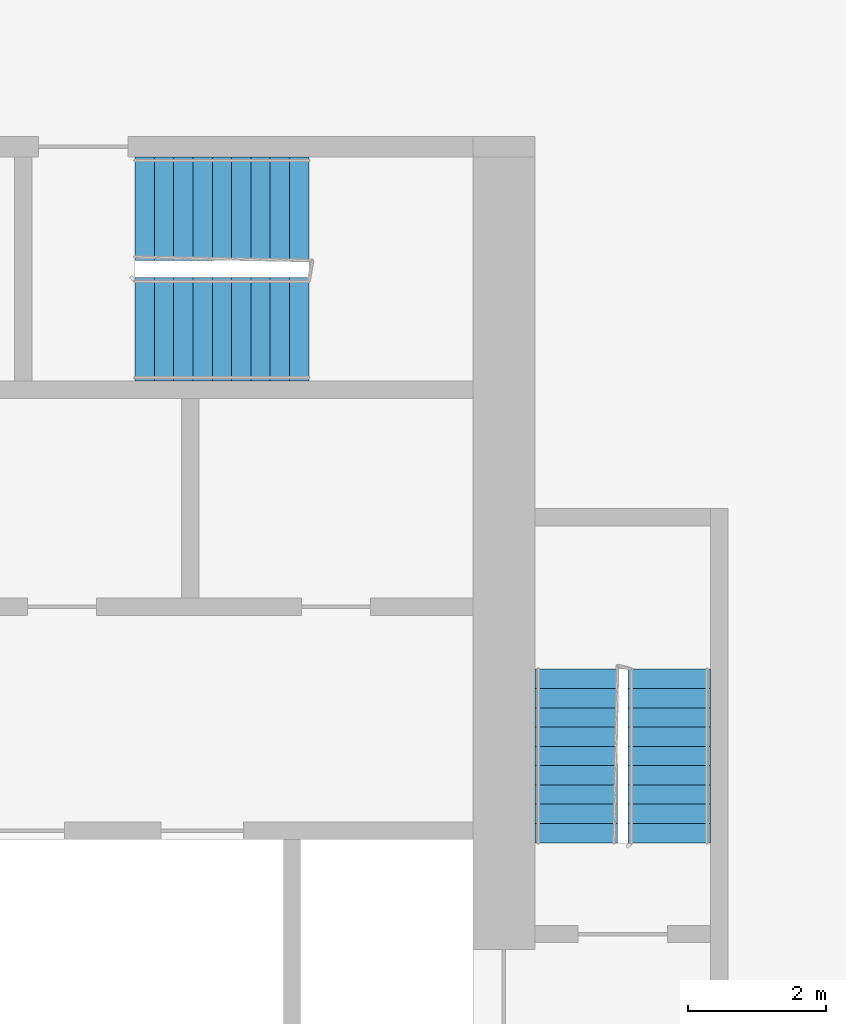
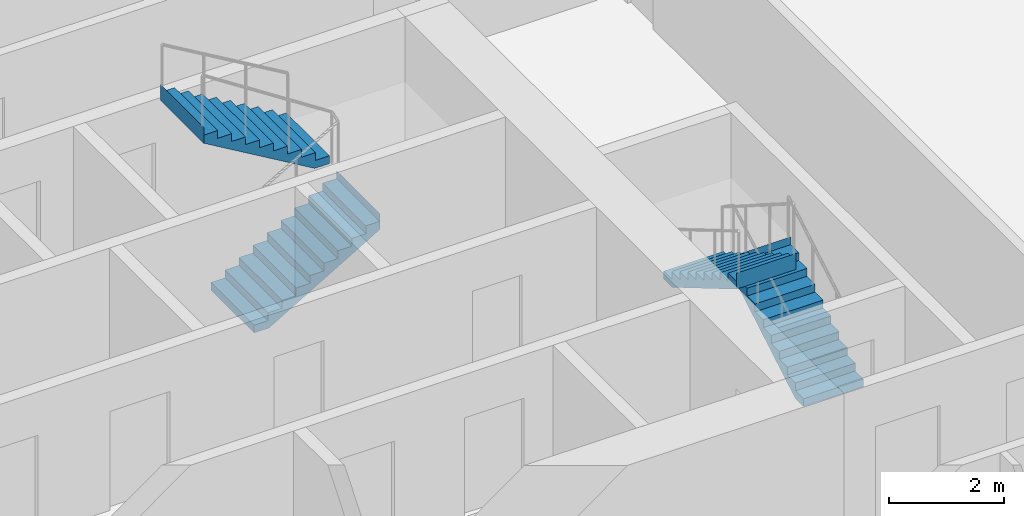
# One storey, part 10 of 11: 4 stair flights, 2 elements without a shape of their own.
"""IFC4 building model written with IfcOpenShell, lengths in metres."""

from ifc_helpers import new_model, si_unit, direction, frame, origin, place, context, subcontext, project, spatial, faceted_brep, material, type_object, element, aggregate, save


model = new_model("IFC4")

# Units and contexts
model_context = context("Model", 3, precision=1e-05, world=origin(), true_north=direction((0.0, 1.0)))
body_context = subcontext(model_context, "Body", "Model", "MODEL_VIEW")
ifc_project = project(units=[si_unit("LENGTHUNIT", "METRE"), si_unit("AREAUNIT", "SQUARE_METRE"), si_unit("VOLUMEUNIT", "CUBIC_METRE"), si_unit("PLANEANGLEUNIT", "RADIAN"), si_unit("MASSUNIT", "GRAM", prefix="KILO")], contexts=[model_context])

# Site, building, storey
site_placement = place(None, origin())
site = spatial("IfcSite", under=ifc_project, at=site_placement, CompositionType="ELEMENT")
building_placement = place(site_placement, origin())
building = spatial("IfcBuilding", under=site, at=building_placement, Name="Kajstack Hotel Tower", CompositionType="ELEMENT")
storey_placement = place(building_placement, frame((0.0, 0.0, 240.800048828125)))
storey = spatial("IfcBuildingStorey", under=building, at=storey_placement, Name="L59", CompositionType="ELEMENT", Elevation=240.800048828125)

# Stair, stair flights
ifc_material = material(Name="Concrete C40/50", Category="concrete")
stair_type_1 = type_object("IfcStairType", Name="Exit stair 1200", PredefinedType="HALF_TURN_STAIR", material=ifc_material)
stair_1_placement = place(storey_placement, origin())
stair_1 = element("IfcStair", 1, at=stair_1_placement, inside=storey, type_object=stair_type_1, Name="L59 stair E1", PredefinedType="HALF_TURN_STAIR")
stair_flight_type_1 = type_object("IfcStairFlightType", Name="Exit stair flight 1200", PredefinedType="STRAIGHT", material=ifc_material)
stair_flight_1_placement = place(storey_placement, frame((33.449951171875, 5.25, 0.0), z_axis=(0.0, 0.0, 1.0), x_axis=(0.0, 1.0, 0.0)))
stair_flight_1 = element("IfcStairFlight", 2, at=stair_flight_1_placement, type_object=stair_flight_type_1, Name="E1 flight 1", NumberOfRisers=10, NumberOfTreads=9, PredefinedType="STRAIGHT", RiserHeight=0.165, TreadLength=0.28, context=body_context, shape_type="Brep", body=[
    faceted_brep([(0.295654296875, -0.60009765625, 0.0), (2.5205078125, -0.60009765625, 1.31103515625), (2.5205078125, -0.60009765625, 1.64990234375), (2.52001953125, -0.60009765625, 1.64990234375), (2.52001953125, -0.60009765625, 1.485107421875), (2.239990234375, -0.60009765625, 1.485107421875), (2.239990234375, -0.60009765625, 1.320068359375), (1.9599609375, -0.60009765625, 1.320068359375), (1.9599609375, -0.60009765625, 1.155029296875), (1.679931640625, -0.60009765625, 1.155029296875), (1.679931640625, -0.60009765625, 0.989990234375), (1.39990234375, -0.60009765625, 0.989990234375), (1.39990234375, -0.60009765625, 0.824951171875), (1.1201171875, -0.60009765625, 0.824951171875), (1.1201171875, -0.60009765625, 0.659912109375), (0.840087890625, -0.60009765625, 0.659912109375), (0.840087890625, -0.60009765625, 0.4951171875), (0.56005859375, -0.60009765625, 0.4951171875), (0.56005859375, -0.60009765625, 0.330078125), (0.280029296875, -0.60009765625, 0.330078125), (0.280029296875, -0.60009765625, 0.1650390625), (-0.00048828125, -0.60009765625, 0.1650390625), (-0.00048828125, -0.60009765625, 0.0), (-0.00048828125, 0.60009765625, 0.0), (-0.00048828125, 0.60009765625, 0.1650390625), (0.280029296875, 0.60009765625, 0.1650390625), (0.280029296875, 0.60009765625, 0.330078125), (0.56005859375, 0.60009765625, 0.330078125), (0.56005859375, 0.60009765625, 0.4951171875), (0.840087890625, 0.60009765625, 0.4951171875), (0.840087890625, 0.60009765625, 0.659912109375), (1.1201171875, 0.60009765625, 0.659912109375), (1.1201171875, 0.60009765625, 0.824951171875), (1.39990234375, 0.60009765625, 0.824951171875), (1.39990234375, 0.60009765625, 0.989990234375), (1.679931640625, 0.60009765625, 0.989990234375), (1.679931640625, 0.60009765625, 1.155029296875), (1.9599609375, 0.60009765625, 1.155029296875), (1.9599609375, 0.60009765625, 1.320068359375), (2.239990234375, 0.60009765625, 1.320068359375), (2.239990234375, 0.60009765625, 1.485107421875), (2.52001953125, 0.60009765625, 1.485107421875), (2.52001953125, 0.60009765625, 1.64990234375), (2.5205078125, 0.60009765625, 1.64990234375), (2.5205078125, 0.60009765625, 1.31103515625), (0.295654296875, 0.60009765625, 0.0), (-0.00048828125, -0.300048828125, 0.1650390625), (-0.00048828125, 0.0, 0.1650390625), (-0.00048828125, 0.300048828125, 0.1650390625), (-0.00048828125, 0.300048828125, 0.0), (-0.00048828125, 0.0, 0.0), (-0.00048828125, -0.300048828125, 0.0), (0.280029296875, -0.300048828125, 0.1650390625), (0.280029296875, 0.0, 0.1650390625), (0.280029296875, 0.300048828125, 0.1650390625), (0.280029296875, -0.300048828125, 0.330078125), (0.280029296875, 0.0, 0.330078125), (0.280029296875, 0.300048828125, 0.330078125), (0.56005859375, -0.300048828125, 0.330078125), (0.56005859375, 0.0, 0.330078125), (0.56005859375, 0.300048828125, 0.330078125), (0.56005859375, -0.300048828125, 0.4951171875), (0.56005859375, 0.0, 0.4951171875), (0.56005859375, 0.300048828125, 0.4951171875), (0.840087890625, -0.300048828125, 0.4951171875), (0.840087890625, 0.0, 0.4951171875), (0.840087890625, 0.300048828125, 0.4951171875), (0.840087890625, -0.300048828125, 0.659912109375), (0.840087890625, 0.0, 0.659912109375), (0.840087890625, 0.300048828125, 0.659912109375), (1.1201171875, -0.300048828125, 0.659912109375), (1.1201171875, 0.0, 0.659912109375), (1.1201171875, 0.300048828125, 0.659912109375), (1.1201171875, -0.300048828125, 0.824951171875), (1.1201171875, 0.0, 0.824951171875), (1.1201171875, 0.300048828125, 0.824951171875), (1.39990234375, -0.300048828125, 0.824951171875), (1.39990234375, 0.0, 0.824951171875), (1.39990234375, 0.300048828125, 0.824951171875), (1.39990234375, -0.300048828125, 0.989990234375), (1.39990234375, 0.0, 0.989990234375), (1.39990234375, 0.300048828125, 0.989990234375), (1.679931640625, -0.300048828125, 0.989990234375), (1.679931640625, 0.0, 0.989990234375), (1.679931640625, 0.300048828125, 0.989990234375), (1.679931640625, -0.300048828125, 1.155029296875), (1.679931640625, 0.0, 1.155029296875), (1.679931640625, 0.300048828125, 1.155029296875), (1.9599609375, -0.300048828125, 1.155029296875), (1.9599609375, 0.0, 1.155029296875), (1.9599609375, 0.300048828125, 1.155029296875), (1.9599609375, -0.300048828125, 1.320068359375), (1.9599609375, 0.0, 1.320068359375), (1.9599609375, 0.300048828125, 1.320068359375), (2.239990234375, -0.300048828125, 1.320068359375), (2.239990234375, 0.0, 1.320068359375), (2.239990234375, 0.300048828125, 1.320068359375), (2.239990234375, -0.300048828125, 1.485107421875), (2.239990234375, 0.0, 1.485107421875), (2.239990234375, 0.300048828125, 1.485107421875), (2.52001953125, -0.300048828125, 1.485107421875), (2.52001953125, 0.0, 1.485107421875), (2.52001953125, 0.300048828125, 1.485107421875), (2.52001953125, -0.300048828125, 1.64990234375), (2.52001953125, 0.0, 1.64990234375), (2.52001953125, 0.300048828125, 1.64990234375), (2.5205078125, -0.300048828125, 1.64990234375), (2.5205078125, 0.0, 1.64990234375), (2.5205078125, 0.300048828125, 1.64990234375), (2.5205078125, -0.300048828125, 1.31103515625), (2.5205078125, 0.0, 1.31103515625), (2.5205078125, 0.300048828125, 1.31103515625), (0.295654296875, -0.300048828125, 0.0), (0.295654296875, 0.0, 0.0), (0.295654296875, 0.300048828125, 0.0)], [[[0, 1, 2, 3, 4, 5, 6, 7, 8, 9, 10, 11, 12, 13, 14, 15, 16, 17, 18, 19, 20, 21, 22]], [[23, 24, 25, 26, 27, 28, 29, 30, 31, 32, 33, 34, 35, 36, 37, 38, 39, 40, 41, 42, 43, 44, 45]], [[21, 46, 47, 48, 24, 23, 49, 50, 51, 22]], [[20, 52, 53, 54, 25, 24, 48, 47, 46, 21]], [[19, 55, 56, 57, 26, 25, 54, 53, 52, 20]], [[18, 58, 59, 60, 27, 26, 57, 56, 55, 19]], [[17, 61, 62, 63, 28, 27, 60, 59, 58, 18]], [[16, 64, 65, 66, 29, 28, 63, 62, 61, 17]], [[15, 67, 68, 69, 30, 29, 66, 65, 64, 16]], [[14, 70, 71, 72, 31, 30, 69, 68, 67, 15]], [[13, 73, 74, 75, 32, 31, 72, 71, 70, 14]], [[12, 76, 77, 78, 33, 32, 75, 74, 73, 13]], [[11, 79, 80, 81, 34, 33, 78, 77, 76, 12]], [[10, 82, 83, 84, 35, 34, 81, 80, 79, 11]], [[9, 85, 86, 87, 36, 35, 84, 83, 82, 10]], [[8, 88, 89, 90, 37, 36, 87, 86, 85, 9]], [[7, 91, 92, 93, 38, 37, 90, 89, 88, 8]], [[6, 94, 95, 96, 39, 38, 93, 92, 91, 7]], [[5, 97, 98, 99, 40, 39, 96, 95, 94, 6]], [[4, 100, 101, 102, 41, 40, 99, 98, 97, 5]], [[3, 103, 104, 105, 42, 41, 102, 101, 100, 4]], [[2, 106, 107, 108, 43, 42, 105, 104, 103, 3]], [[1, 109, 110, 111, 44, 43, 108, 107, 106, 2]], [[0, 112, 113, 114, 45, 44, 111, 110, 109, 1]], [[22, 51, 50, 49, 23, 45, 114, 113, 112, 0]]]),
])
stair_flight_2_placement = place(storey_placement, frame((32.10009765625, 7.77001953125, 1.64990234375), z_axis=(0.0, 0.0, 1.0), x_axis=(0.0, -1.0, 0.0)))
stair_flight_2 = element("IfcStairFlight", 3, at=stair_flight_2_placement, type_object=stair_flight_type_1, Name="E1 flight 2", NumberOfRisers=10, NumberOfTreads=9, PredefinedType="STRAIGHT", RiserHeight=0.165, TreadLength=0.28, context=body_context, shape_type="Brep", body=[
    faceted_brep([(0.295654296875, -0.60009765625, 0.0), (2.5205078125, -0.60009765625, 1.31103515625), (2.5205078125, -0.60009765625, 1.64990234375), (2.52001953125, -0.60009765625, 1.64990234375), (2.52001953125, -0.60009765625, 1.485107421875), (2.239990234375, -0.60009765625, 1.485107421875), (2.239990234375, -0.60009765625, 1.320068359375), (1.9599609375, -0.60009765625, 1.320068359375), (1.9599609375, -0.60009765625, 1.155029296875), (1.679931640625, -0.60009765625, 1.155029296875), (1.679931640625, -0.60009765625, 0.989990234375), (1.39990234375, -0.60009765625, 0.989990234375), (1.39990234375, -0.60009765625, 0.824951171875), (1.1201171875, -0.60009765625, 0.824951171875), (1.1201171875, -0.60009765625, 0.659912109375), (0.840087890625, -0.60009765625, 0.659912109375), (0.840087890625, -0.60009765625, 0.4951171875), (0.56005859375, -0.60009765625, 0.4951171875), (0.56005859375, -0.60009765625, 0.330078125), (0.280029296875, -0.60009765625, 0.330078125), (0.280029296875, -0.60009765625, 0.1650390625), (-0.00048828125, -0.60009765625, 0.1650390625), (-0.00048828125, -0.60009765625, 0.0), (-0.00048828125, 0.60009765625, 0.0), (-0.00048828125, 0.60009765625, 0.1650390625), (0.280029296875, 0.60009765625, 0.1650390625), (0.280029296875, 0.60009765625, 0.330078125), (0.56005859375, 0.60009765625, 0.330078125), (0.56005859375, 0.60009765625, 0.4951171875), (0.840087890625, 0.60009765625, 0.4951171875), (0.840087890625, 0.60009765625, 0.659912109375), (1.1201171875, 0.60009765625, 0.659912109375), (1.1201171875, 0.60009765625, 0.824951171875), (1.39990234375, 0.60009765625, 0.824951171875), (1.39990234375, 0.60009765625, 0.989990234375), (1.679931640625, 0.60009765625, 0.989990234375), (1.679931640625, 0.60009765625, 1.155029296875), (1.9599609375, 0.60009765625, 1.155029296875), (1.9599609375, 0.60009765625, 1.320068359375), (2.239990234375, 0.60009765625, 1.320068359375), (2.239990234375, 0.60009765625, 1.485107421875), (2.52001953125, 0.60009765625, 1.485107421875), (2.52001953125, 0.60009765625, 1.64990234375), (2.5205078125, 0.60009765625, 1.64990234375), (2.5205078125, 0.60009765625, 1.31103515625), (0.295654296875, 0.60009765625, 0.0), (-0.00048828125, -0.300048828125, 0.1650390625), (-0.00048828125, 0.0, 0.1650390625), (-0.00048828125, 0.300048828125, 0.1650390625), (-0.00048828125, 0.300048828125, 0.0), (-0.00048828125, 0.0, 0.0), (-0.00048828125, -0.300048828125, 0.0), (0.280029296875, -0.300048828125, 0.1650390625), (0.280029296875, 0.0, 0.1650390625), (0.280029296875, 0.300048828125, 0.1650390625), (0.280029296875, -0.300048828125, 0.330078125), (0.280029296875, 0.0, 0.330078125), (0.280029296875, 0.300048828125, 0.330078125), (0.56005859375, -0.300048828125, 0.330078125), (0.56005859375, 0.0, 0.330078125), (0.56005859375, 0.300048828125, 0.330078125), (0.56005859375, -0.300048828125, 0.4951171875), (0.56005859375, 0.0, 0.4951171875), (0.56005859375, 0.300048828125, 0.4951171875), (0.840087890625, -0.300048828125, 0.4951171875), (0.840087890625, 0.0, 0.4951171875), (0.840087890625, 0.300048828125, 0.4951171875), (0.840087890625, -0.300048828125, 0.659912109375), (0.840087890625, 0.0, 0.659912109375), (0.840087890625, 0.300048828125, 0.659912109375), (1.1201171875, -0.300048828125, 0.659912109375), (1.1201171875, 0.0, 0.659912109375), (1.1201171875, 0.300048828125, 0.659912109375), (1.1201171875, -0.300048828125, 0.824951171875), (1.1201171875, 0.0, 0.824951171875), (1.1201171875, 0.300048828125, 0.824951171875), (1.39990234375, -0.300048828125, 0.824951171875), (1.39990234375, 0.0, 0.824951171875), (1.39990234375, 0.300048828125, 0.824951171875), (1.39990234375, -0.300048828125, 0.989990234375), (1.39990234375, 0.0, 0.989990234375), (1.39990234375, 0.300048828125, 0.989990234375), (1.679931640625, -0.300048828125, 0.989990234375), (1.679931640625, 0.0, 0.989990234375), (1.679931640625, 0.300048828125, 0.989990234375), (1.679931640625, -0.300048828125, 1.155029296875), (1.679931640625, 0.0, 1.155029296875), (1.679931640625, 0.300048828125, 1.155029296875), (1.9599609375, -0.300048828125, 1.155029296875), (1.9599609375, 0.0, 1.155029296875), (1.9599609375, 0.300048828125, 1.155029296875), (1.9599609375, -0.300048828125, 1.320068359375), (1.9599609375, 0.0, 1.320068359375), (1.9599609375, 0.300048828125, 1.320068359375), (2.239990234375, -0.300048828125, 1.320068359375), (2.239990234375, 0.0, 1.320068359375), (2.239990234375, 0.300048828125, 1.320068359375), (2.239990234375, -0.300048828125, 1.485107421875), (2.239990234375, 0.0, 1.485107421875), (2.239990234375, 0.300048828125, 1.485107421875), (2.52001953125, -0.300048828125, 1.485107421875), (2.52001953125, 0.0, 1.485107421875), (2.52001953125, 0.300048828125, 1.485107421875), (2.52001953125, -0.300048828125, 1.64990234375), (2.52001953125, 0.0, 1.64990234375), (2.52001953125, 0.300048828125, 1.64990234375), (2.5205078125, -0.300048828125, 1.64990234375), (2.5205078125, 0.0, 1.64990234375), (2.5205078125, 0.300048828125, 1.64990234375), (2.5205078125, -0.300048828125, 1.31103515625), (2.5205078125, 0.0, 1.31103515625), (2.5205078125, 0.300048828125, 1.31103515625), (0.295654296875, -0.300048828125, 0.0), (0.295654296875, 0.0, 0.0), (0.295654296875, 0.300048828125, 0.0)], [[[0, 1, 2, 3, 4, 5, 6, 7, 8, 9, 10, 11, 12, 13, 14, 15, 16, 17, 18, 19, 20, 21, 22]], [[23, 24, 25, 26, 27, 28, 29, 30, 31, 32, 33, 34, 35, 36, 37, 38, 39, 40, 41, 42, 43, 44, 45]], [[21, 46, 47, 48, 24, 23, 49, 50, 51, 22]], [[20, 52, 53, 54, 25, 24, 48, 47, 46, 21]], [[19, 55, 56, 57, 26, 25, 54, 53, 52, 20]], [[18, 58, 59, 60, 27, 26, 57, 56, 55, 19]], [[17, 61, 62, 63, 28, 27, 60, 59, 58, 18]], [[16, 64, 65, 66, 29, 28, 63, 62, 61, 17]], [[15, 67, 68, 69, 30, 29, 66, 65, 64, 16]], [[14, 70, 71, 72, 31, 30, 69, 68, 67, 15]], [[13, 73, 74, 75, 32, 31, 72, 71, 70, 14]], [[12, 76, 77, 78, 33, 32, 75, 74, 73, 13]], [[11, 79, 80, 81, 34, 33, 78, 77, 76, 12]], [[10, 82, 83, 84, 35, 34, 81, 80, 79, 11]], [[9, 85, 86, 87, 36, 35, 84, 83, 82, 10]], [[8, 88, 89, 90, 37, 36, 87, 86, 85, 9]], [[7, 91, 92, 93, 38, 37, 90, 89, 88, 8]], [[6, 94, 95, 96, 39, 38, 93, 92, 91, 7]], [[5, 97, 98, 99, 40, 39, 96, 95, 94, 6]], [[4, 100, 101, 102, 41, 40, 99, 98, 97, 5]], [[3, 103, 104, 105, 42, 41, 102, 101, 100, 4]], [[2, 106, 107, 108, 43, 42, 105, 104, 103, 3]], [[1, 109, 110, 111, 44, 43, 108, 107, 106, 2]], [[0, 112, 113, 114, 45, 44, 111, 110, 109, 1]], [[22, 51, 50, 49, 23, 45, 114, 113, 112, 0]]]),
])
aggregate(stair_1, [stair_flight_1, stair_flight_2])

stair_type_2 = type_object("IfcStairType", Name="Exit stair 1500", PredefinedType="HALF_TURN_STAIR", material=ifc_material)
stair_2_placement = place(storey_placement, origin())
stair_2 = element("IfcStair", 4, at=stair_2_placement, inside=storey, type_object=stair_type_2, Name="L59 stair E3", PredefinedType="HALF_TURN_STAIR")
stair_flight_type_2 = type_object("IfcStairFlightType", Name="Exit stair flight 1500", PredefinedType="STRAIGHT", material=ifc_material)
stair_flight_3_placement = place(storey_placement, frame((25.699951171875, 12.699951171875, 0.0), z_axis=(0.0, 0.0, 1.0), x_axis=(1.0, 0.0, 0.0)))
stair_flight_3 = element("IfcStairFlight", 5, at=stair_flight_3_placement, type_object=stair_flight_type_2, Name="E3 flight 1", NumberOfRisers=10, NumberOfTreads=9, PredefinedType="STRAIGHT", RiserHeight=0.165, TreadLength=0.28, context=body_context, shape_type="Brep", body=[
    faceted_brep([(0.295654296875, -0.75, 0.0), (2.5205078125, -0.75, 1.31103515625), (2.5205078125, -0.75, 1.64990234375), (2.52001953125, -0.75, 1.64990234375), (2.52001953125, -0.75, 1.485107421875), (2.239990234375, -0.75, 1.485107421875), (2.239990234375, -0.75, 1.320068359375), (1.9599609375, -0.75, 1.320068359375), (1.9599609375, -0.75, 1.155029296875), (1.679931640625, -0.75, 1.155029296875), (1.679931640625, -0.75, 0.989990234375), (1.39990234375, -0.75, 0.989990234375), (1.39990234375, -0.75, 0.824951171875), (1.1201171875, -0.75, 0.824951171875), (1.1201171875, -0.75, 0.659912109375), (0.840087890625, -0.75, 0.659912109375), (0.840087890625, -0.75, 0.4951171875), (0.56005859375, -0.75, 0.4951171875), (0.56005859375, -0.75, 0.330078125), (0.280029296875, -0.75, 0.330078125), (0.280029296875, -0.75, 0.1650390625), (-0.00048828125, -0.75, 0.1650390625), (-0.00048828125, -0.75, 0.0), (-0.00048828125, 0.75, 0.0), (-0.00048828125, 0.75, 0.1650390625), (0.280029296875, 0.75, 0.1650390625), (0.280029296875, 0.75, 0.330078125), (0.56005859375, 0.75, 0.330078125), (0.56005859375, 0.75, 0.4951171875), (0.840087890625, 0.75, 0.4951171875), (0.840087890625, 0.75, 0.659912109375), (1.1201171875, 0.75, 0.659912109375), (1.1201171875, 0.75, 0.824951171875), (1.39990234375, 0.75, 0.824951171875), (1.39990234375, 0.75, 0.989990234375), (1.679931640625, 0.75, 0.989990234375), (1.679931640625, 0.75, 1.155029296875), (1.9599609375, 0.75, 1.155029296875), (1.9599609375, 0.75, 1.320068359375), (2.239990234375, 0.75, 1.320068359375), (2.239990234375, 0.75, 1.485107421875), (2.52001953125, 0.75, 1.485107421875), (2.52001953125, 0.75, 1.64990234375), (2.5205078125, 0.75, 1.64990234375), (2.5205078125, 0.75, 1.31103515625), (0.295654296875, 0.75, 0.0), (-0.00048828125, -0.375, 0.1650390625), (-0.00048828125, 0.0, 0.1650390625), (-0.00048828125, 0.375, 0.1650390625), (-0.00048828125, 0.375, 0.0), (-0.00048828125, 0.0, 0.0), (-0.00048828125, -0.375, 0.0), (0.280029296875, -0.375, 0.1650390625), (0.280029296875, 0.0, 0.1650390625), (0.280029296875, 0.375, 0.1650390625), (0.280029296875, -0.375, 0.330078125), (0.280029296875, 0.0, 0.330078125), (0.280029296875, 0.375, 0.330078125), (0.56005859375, -0.375, 0.330078125), (0.56005859375, 0.0, 0.330078125), (0.56005859375, 0.375, 0.330078125), (0.56005859375, -0.375, 0.4951171875), (0.56005859375, 0.0, 0.4951171875), (0.56005859375, 0.375, 0.4951171875), (0.840087890625, -0.375, 0.4951171875), (0.840087890625, 0.0, 0.4951171875), (0.840087890625, 0.375, 0.4951171875), (0.840087890625, -0.375, 0.659912109375), (0.840087890625, 0.0, 0.659912109375), (0.840087890625, 0.375, 0.659912109375), (1.1201171875, -0.375, 0.659912109375), (1.1201171875, 0.0, 0.659912109375), (1.1201171875, 0.375, 0.659912109375), (1.1201171875, -0.375, 0.824951171875), (1.1201171875, 0.0, 0.824951171875), (1.1201171875, 0.375, 0.824951171875), (1.39990234375, -0.375, 0.824951171875), (1.39990234375, 0.0, 0.824951171875), (1.39990234375, 0.375, 0.824951171875), (1.39990234375, -0.375, 0.989990234375), (1.39990234375, 0.0, 0.989990234375), (1.39990234375, 0.375, 0.989990234375), (1.679931640625, -0.375, 0.989990234375), (1.679931640625, 0.0, 0.989990234375), (1.679931640625, 0.375, 0.989990234375), (1.679931640625, -0.375, 1.155029296875), (1.679931640625, 0.0, 1.155029296875), (1.679931640625, 0.375, 1.155029296875), (1.9599609375, -0.375, 1.155029296875), (1.9599609375, 0.0, 1.155029296875), (1.9599609375, 0.375, 1.155029296875), (1.9599609375, -0.375, 1.320068359375), (1.9599609375, 0.0, 1.320068359375), (1.9599609375, 0.375, 1.320068359375), (2.239990234375, -0.375, 1.320068359375), (2.239990234375, 0.0, 1.320068359375), (2.239990234375, 0.375, 1.320068359375), (2.239990234375, -0.375, 1.485107421875), (2.239990234375, 0.0, 1.485107421875), (2.239990234375, 0.375, 1.485107421875), (2.52001953125, -0.375, 1.485107421875), (2.52001953125, 0.0, 1.485107421875), (2.52001953125, 0.375, 1.485107421875), (2.52001953125, -0.375, 1.64990234375), (2.52001953125, 0.0, 1.64990234375), (2.52001953125, 0.375, 1.64990234375), (2.5205078125, -0.375, 1.64990234375), (2.5205078125, 0.0, 1.64990234375), (2.5205078125, 0.375, 1.64990234375), (2.5205078125, -0.375, 1.31103515625), (2.5205078125, 0.0, 1.31103515625), (2.5205078125, 0.375, 1.31103515625), (0.295654296875, -0.375, 0.0), (0.295654296875, 0.0, 0.0), (0.295654296875, 0.375, 0.0)], [[[0, 1, 2, 3, 4, 5, 6, 7, 8, 9, 10, 11, 12, 13, 14, 15, 16, 17, 18, 19, 20, 21, 22]], [[23, 24, 25, 26, 27, 28, 29, 30, 31, 32, 33, 34, 35, 36, 37, 38, 39, 40, 41, 42, 43, 44, 45]], [[21, 46, 47, 48, 24, 23, 49, 50, 51, 22]], [[20, 52, 53, 54, 25, 24, 48, 47, 46, 21]], [[19, 55, 56, 57, 26, 25, 54, 53, 52, 20]], [[18, 58, 59, 60, 27, 26, 57, 56, 55, 19]], [[17, 61, 62, 63, 28, 27, 60, 59, 58, 18]], [[16, 64, 65, 66, 29, 28, 63, 62, 61, 17]], [[15, 67, 68, 69, 30, 29, 66, 65, 64, 16]], [[14, 70, 71, 72, 31, 30, 69, 68, 67, 15]], [[13, 73, 74, 75, 32, 31, 72, 71, 70, 14]], [[12, 76, 77, 78, 33, 32, 75, 74, 73, 13]], [[11, 79, 80, 81, 34, 33, 78, 77, 76, 12]], [[10, 82, 83, 84, 35, 34, 81, 80, 79, 11]], [[9, 85, 86, 87, 36, 35, 84, 83, 82, 10]], [[8, 88, 89, 90, 37, 36, 87, 86, 85, 9]], [[7, 91, 92, 93, 38, 37, 90, 89, 88, 8]], [[6, 94, 95, 96, 39, 38, 93, 92, 91, 7]], [[5, 97, 98, 99, 40, 39, 96, 95, 94, 6]], [[4, 100, 101, 102, 41, 40, 99, 98, 97, 5]], [[3, 103, 104, 105, 42, 41, 102, 101, 100, 4]], [[2, 106, 107, 108, 43, 42, 105, 104, 103, 3]], [[1, 109, 110, 111, 44, 43, 108, 107, 106, 2]], [[0, 112, 113, 114, 45, 44, 111, 110, 109, 1]], [[22, 51, 50, 49, 23, 45, 114, 113, 112, 0]]]),
])
stair_flight_4_placement = place(storey_placement, frame((28.219970703125, 14.449951171875, 1.64990234375), z_axis=(0.0, 0.0, 1.0), x_axis=(-1.0, 0.0, 0.0)))
stair_flight_4 = element("IfcStairFlight", 6, at=stair_flight_4_placement, type_object=stair_flight_type_2, Name="E3 flight 2", NumberOfRisers=10, NumberOfTreads=9, PredefinedType="STRAIGHT", RiserHeight=0.165, TreadLength=0.28, context=body_context, shape_type="Brep", body=[
    faceted_brep([(0.295654296875, -0.75, 0.0), (2.5205078125, -0.75, 1.31103515625), (2.5205078125, -0.75, 1.64990234375), (2.52001953125, -0.75, 1.64990234375), (2.52001953125, -0.75, 1.485107421875), (2.239990234375, -0.75, 1.485107421875), (2.239990234375, -0.75, 1.320068359375), (1.9599609375, -0.75, 1.320068359375), (1.9599609375, -0.75, 1.155029296875), (1.679931640625, -0.75, 1.155029296875), (1.679931640625, -0.75, 0.989990234375), (1.39990234375, -0.75, 0.989990234375), (1.39990234375, -0.75, 0.824951171875), (1.1201171875, -0.75, 0.824951171875), (1.1201171875, -0.75, 0.659912109375), (0.840087890625, -0.75, 0.659912109375), (0.840087890625, -0.75, 0.4951171875), (0.56005859375, -0.75, 0.4951171875), (0.56005859375, -0.75, 0.330078125), (0.280029296875, -0.75, 0.330078125), (0.280029296875, -0.75, 0.1650390625), (-0.00048828125, -0.75, 0.1650390625), (-0.00048828125, -0.75, 0.0), (-0.00048828125, 0.75, 0.0), (-0.00048828125, 0.75, 0.1650390625), (0.280029296875, 0.75, 0.1650390625), (0.280029296875, 0.75, 0.330078125), (0.56005859375, 0.75, 0.330078125), (0.56005859375, 0.75, 0.4951171875), (0.840087890625, 0.75, 0.4951171875), (0.840087890625, 0.75, 0.659912109375), (1.1201171875, 0.75, 0.659912109375), (1.1201171875, 0.75, 0.824951171875), (1.39990234375, 0.75, 0.824951171875), (1.39990234375, 0.75, 0.989990234375), (1.679931640625, 0.75, 0.989990234375), (1.679931640625, 0.75, 1.155029296875), (1.9599609375, 0.75, 1.155029296875), (1.9599609375, 0.75, 1.320068359375), (2.239990234375, 0.75, 1.320068359375), (2.239990234375, 0.75, 1.485107421875), (2.52001953125, 0.75, 1.485107421875), (2.52001953125, 0.75, 1.64990234375), (2.5205078125, 0.75, 1.64990234375), (2.5205078125, 0.75, 1.31103515625), (0.295654296875, 0.75, 0.0), (-0.00048828125, -0.375, 0.1650390625), (-0.00048828125, 0.0, 0.1650390625), (-0.00048828125, 0.375, 0.1650390625), (-0.00048828125, 0.375, 0.0), (-0.00048828125, 0.0, 0.0), (-0.00048828125, -0.375, 0.0), (0.280029296875, -0.375, 0.1650390625), (0.280029296875, 0.0, 0.1650390625), (0.280029296875, 0.375, 0.1650390625), (0.280029296875, -0.375, 0.330078125), (0.280029296875, 0.0, 0.330078125), (0.280029296875, 0.375, 0.330078125), (0.56005859375, -0.375, 0.330078125), (0.56005859375, 0.0, 0.330078125), (0.56005859375, 0.375, 0.330078125), (0.56005859375, -0.375, 0.4951171875), (0.56005859375, 0.0, 0.4951171875), (0.56005859375, 0.375, 0.4951171875), (0.840087890625, -0.375, 0.4951171875), (0.840087890625, 0.0, 0.4951171875), (0.840087890625, 0.375, 0.4951171875), (0.840087890625, -0.375, 0.659912109375), (0.840087890625, 0.0, 0.659912109375), (0.840087890625, 0.375, 0.659912109375), (1.1201171875, -0.375, 0.659912109375), (1.1201171875, 0.0, 0.659912109375), (1.1201171875, 0.375, 0.659912109375), (1.1201171875, -0.375, 0.824951171875), (1.1201171875, 0.0, 0.824951171875), (1.1201171875, 0.375, 0.824951171875), (1.39990234375, -0.375, 0.824951171875), (1.39990234375, 0.0, 0.824951171875), (1.39990234375, 0.375, 0.824951171875), (1.39990234375, -0.375, 0.989990234375), (1.39990234375, 0.0, 0.989990234375), (1.39990234375, 0.375, 0.989990234375), (1.679931640625, -0.375, 0.989990234375), (1.679931640625, 0.0, 0.989990234375), (1.679931640625, 0.375, 0.989990234375), (1.679931640625, -0.375, 1.155029296875), (1.679931640625, 0.0, 1.155029296875), (1.679931640625, 0.375, 1.155029296875), (1.9599609375, -0.375, 1.155029296875), (1.9599609375, 0.0, 1.155029296875), (1.9599609375, 0.375, 1.155029296875), (1.9599609375, -0.375, 1.320068359375), (1.9599609375, 0.0, 1.320068359375), (1.9599609375, 0.375, 1.320068359375), (2.239990234375, -0.375, 1.320068359375), (2.239990234375, 0.0, 1.320068359375), (2.239990234375, 0.375, 1.320068359375), (2.239990234375, -0.375, 1.485107421875), (2.239990234375, 0.0, 1.485107421875), (2.239990234375, 0.375, 1.485107421875), (2.52001953125, -0.375, 1.485107421875), (2.52001953125, 0.0, 1.485107421875), (2.52001953125, 0.375, 1.485107421875), (2.52001953125, -0.375, 1.64990234375), (2.52001953125, 0.0, 1.64990234375), (2.52001953125, 0.375, 1.64990234375), (2.5205078125, -0.375, 1.64990234375), (2.5205078125, 0.0, 1.64990234375), (2.5205078125, 0.375, 1.64990234375), (2.5205078125, -0.375, 1.31103515625), (2.5205078125, 0.0, 1.31103515625), (2.5205078125, 0.375, 1.31103515625), (0.295654296875, -0.375, 0.0), (0.295654296875, 0.0, 0.0), (0.295654296875, 0.375, 0.0)], [[[0, 1, 2, 3, 4, 5, 6, 7, 8, 9, 10, 11, 12, 13, 14, 15, 16, 17, 18, 19, 20, 21, 22]], [[23, 24, 25, 26, 27, 28, 29, 30, 31, 32, 33, 34, 35, 36, 37, 38, 39, 40, 41, 42, 43, 44, 45]], [[21, 46, 47, 48, 24, 23, 49, 50, 51, 22]], [[20, 52, 53, 54, 25, 24, 48, 47, 46, 21]], [[19, 55, 56, 57, 26, 25, 54, 53, 52, 20]], [[18, 58, 59, 60, 27, 26, 57, 56, 55, 19]], [[17, 61, 62, 63, 28, 27, 60, 59, 58, 18]], [[16, 64, 65, 66, 29, 28, 63, 62, 61, 17]], [[15, 67, 68, 69, 30, 29, 66, 65, 64, 16]], [[14, 70, 71, 72, 31, 30, 69, 68, 67, 15]], [[13, 73, 74, 75, 32, 31, 72, 71, 70, 14]], [[12, 76, 77, 78, 33, 32, 75, 74, 73, 13]], [[11, 79, 80, 81, 34, 33, 78, 77, 76, 12]], [[10, 82, 83, 84, 35, 34, 81, 80, 79, 11]], [[9, 85, 86, 87, 36, 35, 84, 83, 82, 10]], [[8, 88, 89, 90, 37, 36, 87, 86, 85, 9]], [[7, 91, 92, 93, 38, 37, 90, 89, 88, 8]], [[6, 94, 95, 96, 39, 38, 93, 92, 91, 7]], [[5, 97, 98, 99, 40, 39, 96, 95, 94, 6]], [[4, 100, 101, 102, 41, 40, 99, 98, 97, 5]], [[3, 103, 104, 105, 42, 41, 102, 101, 100, 4]], [[2, 106, 107, 108, 43, 42, 105, 104, 103, 3]], [[1, 109, 110, 111, 44, 43, 108, 107, 106, 2]], [[0, 112, 113, 114, 45, 44, 111, 110, 109, 1]], [[22, 51, 50, 49, 23, 45, 114, 113, 112, 0]]]),
])
aggregate(stair_2, [stair_flight_3, stair_flight_4])

save(model, "model.ifc")
